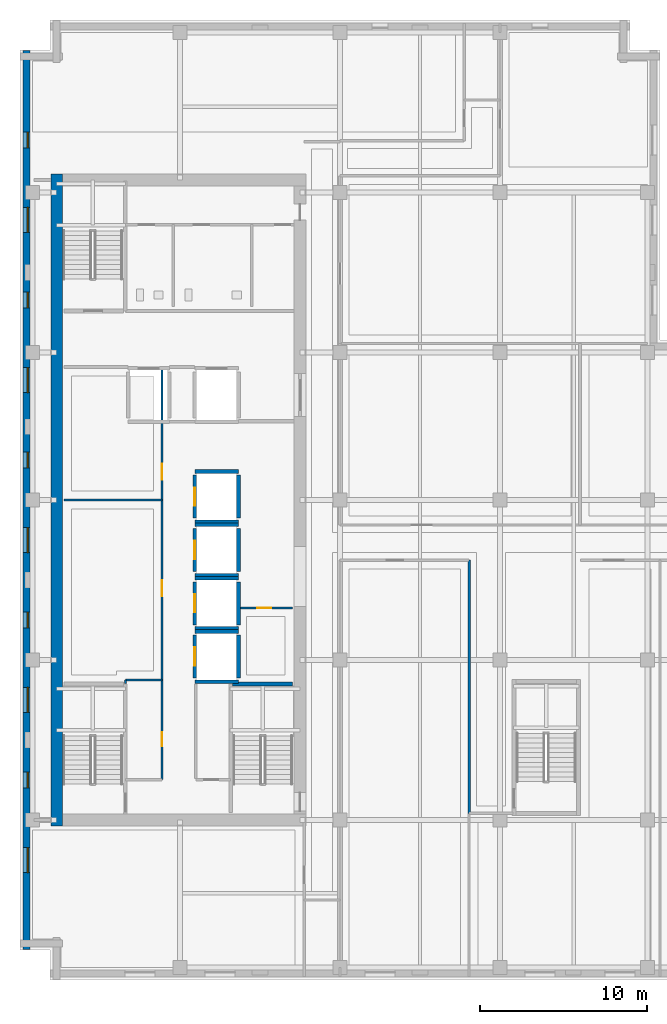
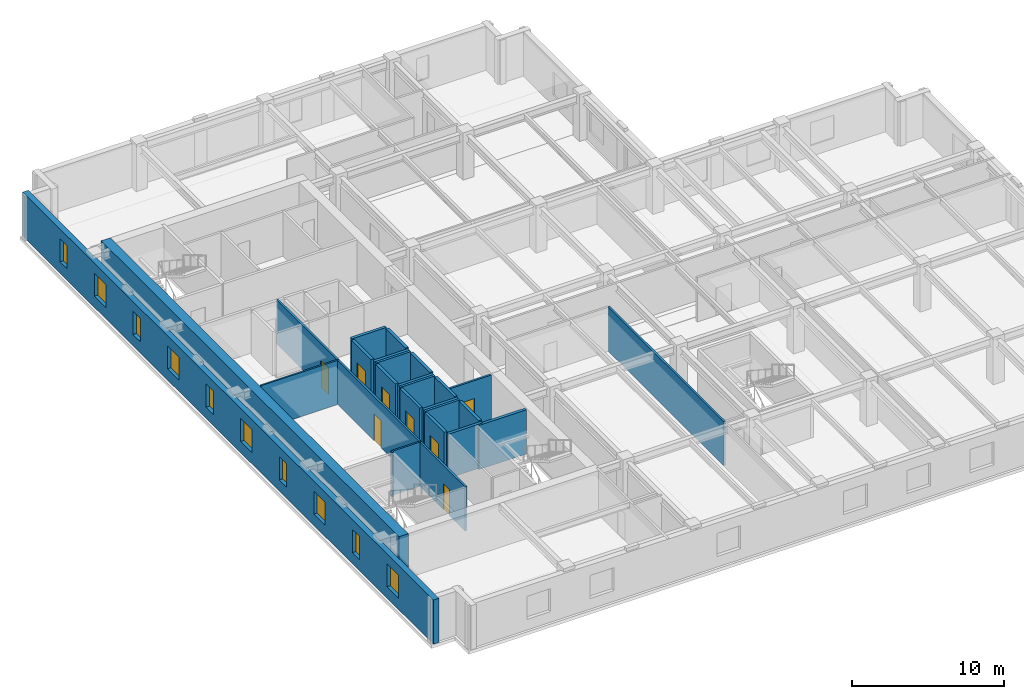
# One storey, part 4 of 14: 25 walls, 10 windows, 8 doors, 18 openings.
"""IFC4 building model written with IfcOpenShell, lengths in metres."""

from ifc_helpers import new_model, si_unit, direction, frame, frame_2d, origin, place, context, subcontext, project, spatial, rectangle, extrude, material, layer, layer_set, type_object, element, fill, save


model = new_model("IFC4")

# Units and contexts
model_context = context("Model", 3, precision=1e-05, world=origin(), true_north=direction((0.0, 1.0)))
body_context = subcontext(model_context, "Body", "Model", "MODEL_VIEW")
ifc_project = project(units=[si_unit("LENGTHUNIT", "METRE"), si_unit("AREAUNIT", "SQUARE_METRE"), si_unit("VOLUMEUNIT", "CUBIC_METRE"), si_unit("PLANEANGLEUNIT", "RADIAN"), si_unit("MASSUNIT", "GRAM", prefix="KILO")], contexts=[model_context])

# Site, building, storey
site_placement = place(None, origin())
site = spatial("IfcSite", under=ifc_project, at=site_placement, CompositionType="ELEMENT")
building_placement = place(site_placement, origin())
building = spatial("IfcBuilding", under=site, at=building_placement, Name="Norrvale University Quadrangle", CompositionType="ELEMENT")
storey_placement = place(building_placement, frame((0.0, 0.0, 218.0)))
storey = spatial("IfcBuildingStorey", under=building, at=storey_placement, Name="L55", CompositionType="ELEMENT", Elevation=218.0)

# Wall, openings, windows
ifc_material_1 = material(Name="Buff Norman Clay Brick Masonry", Category="masonry")
ifc_layer_1 = layer(ifc_material_1, 0.419921875, Name="Buff Norman Clay Brick Masonry")
ifc_layer_set_1 = layer_set([ifc_layer_1], Name="Buff Norman Clay Brick Masonry")
wall_type_1 = type_object("IfcWallType", Name="Wall Buff Brick 420", PredefinedType="SOLIDWALL", material=ifc_layer_set_1)
wall_1_placement = place(storey_placement, frame((0.389892578125, 55.760009765625, 0.0), z_axis=(0.0, 0.0, 1.0), x_axis=(0.0, -1.0, 0.0)))
wall_1 = element("IfcWall", 1, at=wall_1_placement, inside=storey, type_object=wall_type_1, Name="Exterior Brick Facade Wall L55-14.1", PredefinedType="SOLIDWALL", context=body_context, shape_type="SweptSolid", body=[
    extrude(rectangle(XDim=53.919921875, YDim=0.419921875, at=frame_2d((26.9599609375, 0.0))), origin(), (0.0, 0.0, 1.0), 3.5400390625),
])
opening_1_placement = place(wall_1_placement, frame((4.885009765625, 0.0, 0.89990234375)))
opening_1 = element("IfcOpeningElement", 2, at=opening_1_placement, cuts=wall_1, Name="Opening W04", PredefinedType="OPENING", context=body_context, shape_type="SweptSolid", body=[
    extrude(rectangle(XDim=0.949951171875, YDim=1.85009765625, at=frame_2d((0.47509765625, 0.925048828125))), frame((0.0, 0.221923828125, 0.0), z_axis=(0.0, -1.0, 0.0), x_axis=(1.0, 0.0, 0.0)), (0.0, 0.0, 1.0), 0.44384765625),
])
opening_2_placement = place(wall_1_placement, frame((9.409912109375, 0.0, 0.89990234375)))
opening_2 = element("IfcOpeningElement", 3, at=opening_2_placement, cuts=wall_1, Name="Opening W03", PredefinedType="OPENING", context=body_context, shape_type="SweptSolid", body=[
    extrude(rectangle(XDim=1.5, YDim=1.85009765625, at=frame_2d((0.75, 0.925048828125))), frame((0.0, 0.221923828125, 0.0), z_axis=(0.0, -1.0, 0.0), x_axis=(1.0, 0.0, 0.0)), (0.0, 0.0, 1.0), 0.44384765625),
])
opening_3_placement = place(wall_1_placement, frame((14.485107421875, 0.0, 0.89990234375)))
opening_3 = element("IfcOpeningElement", 4, at=opening_3_placement, cuts=wall_1, Name="Opening W04", PredefinedType="OPENING", context=body_context, shape_type="SweptSolid", body=[
    extrude(rectangle(XDim=0.949951171875, YDim=1.85009765625, at=frame_2d((0.47509765625, 0.925048828125))), frame((0.0, 0.221923828125, 0.0), z_axis=(0.0, -1.0, 0.0), x_axis=(1.0, 0.0, 0.0)), (0.0, 0.0, 1.0), 0.44384765625),
])
opening_4_placement = place(wall_1_placement, frame((19.010009765625, 0.0, 0.89990234375)))
opening_4 = element("IfcOpeningElement", 5, at=opening_4_placement, cuts=wall_1, Name="Opening W03", PredefinedType="OPENING", context=body_context, shape_type="SweptSolid", body=[
    extrude(rectangle(XDim=1.5, YDim=1.85009765625, at=frame_2d((0.75, 0.925048828125))), frame((0.0, 0.221923828125, 0.0), z_axis=(0.0, -1.0, 0.0), x_axis=(1.0, 0.0, 0.0)), (0.0, 0.0, 1.0), 0.44384765625),
])
opening_5_placement = place(wall_1_placement, frame((24.0849609375, 0.0, 0.89990234375)))
opening_5 = element("IfcOpeningElement", 6, at=opening_5_placement, cuts=wall_1, Name="Opening W04", PredefinedType="OPENING", context=body_context, shape_type="SweptSolid", body=[
    extrude(rectangle(XDim=0.949951171875, YDim=1.85009765625, at=frame_2d((0.47509765625, 0.925048828125))), frame((0.0, 0.221923828125, 0.0), z_axis=(0.0, -1.0, 0.0), x_axis=(1.0, 0.0, 0.0)), (0.0, 0.0, 1.0), 0.44384765625),
])
opening_6_placement = place(wall_1_placement, frame((28.610107421875, 0.0, 0.89990234375)))
opening_6 = element("IfcOpeningElement", 7, at=opening_6_placement, cuts=wall_1, Name="Opening W03", PredefinedType="OPENING", context=body_context, shape_type="SweptSolid", body=[
    extrude(rectangle(XDim=1.5, YDim=1.85009765625, at=frame_2d((0.75, 0.925048828125))), frame((0.0, 0.221923828125, 0.0), z_axis=(0.0, -1.0, 0.0), x_axis=(1.0, 0.0, 0.0)), (0.0, 0.0, 1.0), 0.44384765625),
])
opening_7_placement = place(wall_1_placement, frame((33.68505859375, 0.0, 0.89990234375)))
opening_7 = element("IfcOpeningElement", 8, at=opening_7_placement, cuts=wall_1, Name="Opening W04", PredefinedType="OPENING", context=body_context, shape_type="SweptSolid", body=[
    extrude(rectangle(XDim=0.949951171875, YDim=1.85009765625, at=frame_2d((0.47509765625, 0.925048828125))), frame((0.0, 0.221923828125, 0.0), z_axis=(0.0, -1.0, 0.0), x_axis=(1.0, 0.0, 0.0)), (0.0, 0.0, 1.0), 0.44384765625),
])
opening_8_placement = place(wall_1_placement, frame((38.2099609375, 0.0, 0.89990234375)))
opening_8 = element("IfcOpeningElement", 9, at=opening_8_placement, cuts=wall_1, Name="Opening W03", PredefinedType="OPENING", context=body_context, shape_type="SweptSolid", body=[
    extrude(rectangle(XDim=1.5, YDim=1.85009765625, at=frame_2d((0.75, 0.925048828125))), frame((0.0, 0.221923828125, 0.0), z_axis=(0.0, -1.0, 0.0), x_axis=(1.0, 0.0, 0.0)), (0.0, 0.0, 1.0), 0.44384765625),
])
opening_9_placement = place(wall_1_placement, frame((43.284912109375, 0.0, 0.89990234375)))
opening_9 = element("IfcOpeningElement", 10, at=opening_9_placement, cuts=wall_1, Name="Opening W04", PredefinedType="OPENING", context=body_context, shape_type="SweptSolid", body=[
    extrude(rectangle(XDim=0.949951171875, YDim=1.85009765625, at=frame_2d((0.47509765625, 0.925048828125))), frame((0.0, 0.221923828125, 0.0), z_axis=(0.0, -1.0, 0.0), x_axis=(1.0, 0.0, 0.0)), (0.0, 0.0, 1.0), 0.44384765625),
])
opening_10_placement = place(wall_1_placement, frame((47.81005859375, 0.0, 0.89990234375)))
opening_10 = element("IfcOpeningElement", 11, at=opening_10_placement, cuts=wall_1, Name="Opening W03", PredefinedType="OPENING", context=body_context, shape_type="SweptSolid", body=[
    extrude(rectangle(XDim=1.5, YDim=1.85009765625, at=frame_2d((0.75, 0.925048828125))), frame((0.0, 0.221923828125, 0.0), z_axis=(0.0, -1.0, 0.0), x_axis=(1.0, 0.0, 0.0)), (0.0, 0.0, 1.0), 0.44384765625),
])
ifc_material_2 = material(Name="Triple Low-E Argon Glazing", Category="glass")
window_type_1 = type_object("IfcWindowType", Name="Window Narrow Pier 950x2300", PartitioningType="SINGLE_PANEL", PredefinedType="WINDOW", material=ifc_material_2)
window_1_placement = place(opening_1_placement, origin())
window_1 = element("IfcWindow", 12, at=window_1_placement, inside=storey, type_object=window_type_1, Name="Window Narrow Pier 950x2300 WIN-L55-E14-1-01", OverallHeight=1.85009765625, OverallWidth=0.949951171875, PartitioningType="SINGLE_PANEL", PredefinedType="WINDOW", context=body_context, shape_type="SweptSolid", body=[
    extrude(rectangle(XDim=0.949951171875, YDim=1.85009765625, at=frame_2d((0.47509765625, 0.925048828125))), frame((0.0, 0.110107421875, 0.0), z_axis=(0.0, -1.0, 0.0), x_axis=(1.0, 0.0, 0.0)), (0.0, 0.0, 1.0), 0.06005859375),
])
fill(opening_1, window_1)
window_2_placement = place(opening_3_placement, origin())
window_2 = element("IfcWindow", 13, at=window_2_placement, inside=storey, type_object=window_type_1, Name="Window Narrow Pier 950x2300 WIN-L55-E14-1-03", OverallHeight=1.85009765625, OverallWidth=0.949951171875, PartitioningType="SINGLE_PANEL", PredefinedType="WINDOW", context=body_context, shape_type="SweptSolid", body=[
    extrude(rectangle(XDim=0.949951171875, YDim=1.85009765625, at=frame_2d((0.47509765625, 0.925048828125))), frame((0.0, 0.110107421875, 0.0), z_axis=(0.0, -1.0, 0.0), x_axis=(1.0, 0.0, 0.0)), (0.0, 0.0, 1.0), 0.06005859375),
])
fill(opening_3, window_2)
window_3_placement = place(opening_5_placement, origin())
window_3 = element("IfcWindow", 14, at=window_3_placement, inside=storey, type_object=window_type_1, Name="Window Narrow Pier 950x2300 WIN-L55-E14-1-05", OverallHeight=1.85009765625, OverallWidth=0.949951171875, PartitioningType="SINGLE_PANEL", PredefinedType="WINDOW", context=body_context, shape_type="SweptSolid", body=[
    extrude(rectangle(XDim=0.949951171875, YDim=1.85009765625, at=frame_2d((0.47509765625, 0.925048828125))), frame((0.0, 0.110107421875, 0.0), z_axis=(0.0, -1.0, 0.0), x_axis=(1.0, 0.0, 0.0)), (0.0, 0.0, 1.0), 0.06005859375),
])
fill(opening_5, window_3)
window_4_placement = place(opening_7_placement, origin())
window_4 = element("IfcWindow", 15, at=window_4_placement, inside=storey, type_object=window_type_1, Name="Window Narrow Pier 950x2300 WIN-L55-E14-1-07", OverallHeight=1.85009765625, OverallWidth=0.949951171875, PartitioningType="SINGLE_PANEL", PredefinedType="WINDOW", context=body_context, shape_type="SweptSolid", body=[
    extrude(rectangle(XDim=0.949951171875, YDim=1.85009765625, at=frame_2d((0.47509765625, 0.925048828125))), frame((0.0, 0.110107421875, 0.0), z_axis=(0.0, -1.0, 0.0), x_axis=(1.0, 0.0, 0.0)), (0.0, 0.0, 1.0), 0.06005859375),
])
fill(opening_7, window_4)
window_5_placement = place(opening_9_placement, origin())
window_5 = element("IfcWindow", 16, at=window_5_placement, inside=storey, type_object=window_type_1, Name="Window Narrow Pier 950x2300 WIN-L55-E14-1-09", OverallHeight=1.85009765625, OverallWidth=0.949951171875, PartitioningType="SINGLE_PANEL", PredefinedType="WINDOW", context=body_context, shape_type="SweptSolid", body=[
    extrude(rectangle(XDim=0.949951171875, YDim=1.85009765625, at=frame_2d((0.47509765625, 0.925048828125))), frame((0.0, 0.110107421875, 0.0), z_axis=(0.0, -1.0, 0.0), x_axis=(1.0, 0.0, 0.0)), (0.0, 0.0, 1.0), 0.06005859375),
])
fill(opening_9, window_5)
window_type_2 = type_object("IfcWindowType", Name="Window Studio 1500x2300", PartitioningType="DOUBLE_PANEL_VERTICAL", PredefinedType="WINDOW", material=ifc_material_2)
window_6_placement = place(opening_2_placement, origin())
window_6 = element("IfcWindow", 17, at=window_6_placement, inside=storey, type_object=window_type_2, Name="Window Studio 1500x2300 WIN-L55-E14-1-02", OverallHeight=1.85009765625, OverallWidth=1.5, PartitioningType="DOUBLE_PANEL_VERTICAL", PredefinedType="WINDOW", context=body_context, shape_type="SweptSolid", body=[
    extrude(rectangle(XDim=1.5, YDim=1.85009765625, at=frame_2d((0.75, 0.925048828125))), frame((0.0, 0.110107421875, 0.0), z_axis=(0.0, -1.0, 0.0), x_axis=(1.0, 0.0, 0.0)), (0.0, 0.0, 1.0), 0.06005859375),
])
fill(opening_2, window_6)
window_7_placement = place(opening_4_placement, origin())
window_7 = element("IfcWindow", 18, at=window_7_placement, inside=storey, type_object=window_type_2, Name="Window Studio 1500x2300 WIN-L55-E14-1-04", OverallHeight=1.85009765625, OverallWidth=1.5, PartitioningType="DOUBLE_PANEL_VERTICAL", PredefinedType="WINDOW", context=body_context, shape_type="SweptSolid", body=[
    extrude(rectangle(XDim=1.5, YDim=1.85009765625, at=frame_2d((0.75, 0.925048828125))), frame((0.0, 0.110107421875, 0.0), z_axis=(0.0, -1.0, 0.0), x_axis=(1.0, 0.0, 0.0)), (0.0, 0.0, 1.0), 0.06005859375),
])
fill(opening_4, window_7)
window_8_placement = place(opening_6_placement, origin())
window_8 = element("IfcWindow", 19, at=window_8_placement, inside=storey, type_object=window_type_2, Name="Window Studio 1500x2300 WIN-L55-E14-1-06", OverallHeight=1.85009765625, OverallWidth=1.5, PartitioningType="DOUBLE_PANEL_VERTICAL", PredefinedType="WINDOW", context=body_context, shape_type="SweptSolid", body=[
    extrude(rectangle(XDim=1.5, YDim=1.85009765625, at=frame_2d((0.75, 0.925048828125))), frame((0.0, 0.110107421875, 0.0), z_axis=(0.0, -1.0, 0.0), x_axis=(1.0, 0.0, 0.0)), (0.0, 0.0, 1.0), 0.06005859375),
])
fill(opening_6, window_8)
window_9_placement = place(opening_8_placement, origin())
window_9 = element("IfcWindow", 20, at=window_9_placement, inside=storey, type_object=window_type_2, Name="Window Studio 1500x2300 WIN-L55-E14-1-08", OverallHeight=1.85009765625, OverallWidth=1.5, PartitioningType="DOUBLE_PANEL_VERTICAL", PredefinedType="WINDOW", context=body_context, shape_type="SweptSolid", body=[
    extrude(rectangle(XDim=1.5, YDim=1.85009765625, at=frame_2d((0.75, 0.925048828125))), frame((0.0, 0.110107421875, 0.0), z_axis=(0.0, -1.0, 0.0), x_axis=(1.0, 0.0, 0.0)), (0.0, 0.0, 1.0), 0.06005859375),
])
fill(opening_8, window_9)
window_10_placement = place(opening_10_placement, origin())
window_10 = element("IfcWindow", 21, at=window_10_placement, inside=storey, type_object=window_type_2, Name="Window Studio 1500x2300 WIN-L55-E14-1-10", OverallHeight=1.85009765625, OverallWidth=1.5, PartitioningType="DOUBLE_PANEL_VERTICAL", PredefinedType="WINDOW", context=body_context, shape_type="SweptSolid", body=[
    extrude(rectangle(XDim=1.5, YDim=1.85009765625, at=frame_2d((0.75, 0.925048828125))), frame((0.0, 0.110107421875, 0.0), z_axis=(0.0, -1.0, 0.0), x_axis=(1.0, 0.0, 0.0)), (0.0, 0.0, 1.0), 0.06005859375),
])
fill(opening_10, window_10)

# Walls
ifc_material_3 = material(Name="Concrete C60/75", Category="concrete")
ifc_layer_2 = layer(ifc_material_3, 0.699951171875, Name="Concrete C60/75")
ifc_layer_set_2 = layer_set([ifc_layer_2], Name="Concrete C60/75")
wall_type_2 = type_object("IfcWallType", Name="Wall Core 700", PredefinedType="SHEAR", material=ifc_layer_set_2)
wall_2_placement = place(storey_placement, frame((2.199951171875, 9.25, 0.0), z_axis=(0.0, 0.0, 1.0), x_axis=(0.0, 1.0, 0.0)))
element("IfcWall", 22, at=wall_2_placement, inside=storey, type_object=wall_type_2, Name="Tower Core Shear Wall L55-W", PredefinedType="SHEAR", context=body_context, shape_type="SweptSolid", body=[
    extrude(rectangle(XDim=39.10009765625, YDim=0.699951171875, at=frame_2d((19.550048828125, 0.0))), origin(), (0.0, 0.0, 1.0), 3.5400390625),
])
ifc_material_4 = material(Name="Standard Academic Gypsum Partition")
ifc_layer_3 = layer(ifc_material_4, 0.125, Name="Standard Academic Gypsum Partition")
ifc_layer_set_3 = layer_set([ifc_layer_3], Name="Standard Academic Gypsum Partition")
wall_type_3 = type_object("IfcWallType", Name="Wall Gypsum Academic 125", PredefinedType="PARTITIONING", material=ifc_layer_set_3)
wall_3_placement = place(storey_placement, frame((6.320068359375, 17.800048828125, 0.0), z_axis=(0.0, 0.0, 1.0), x_axis=(0.0, 1.0, 0.0)))
element("IfcWall", 23, at=wall_3_placement, inside=storey, type_object=wall_type_3, Name="Interior Partition WL-L55-REC-L1", PredefinedType="PARTITIONING", context=body_context, shape_type="SweptSolid", body=[
    extrude(rectangle(XDim=0.199951171875, YDim=0.125, at=frame_2d((0.10009765625, 0.0))), origin(), (0.0, 0.0, 1.0), 3.5400390625),
])
wall_4_placement = place(storey_placement, frame((6.320068359375, 18.0, 0.0), z_axis=(0.0, 0.0, 1.0), x_axis=(1.0, 0.0, 0.0)))
element("IfcWall", 24, at=wall_4_placement, inside=storey, type_object=wall_type_3, Name="Interior Partition WL-L55-REC-L2", PredefinedType="PARTITIONING", context=body_context, shape_type="SweptSolid", body=[
    extrude(rectangle(XDim=2.199951171875, YDim=0.125, at=frame_2d((1.10009765625, 0.0))), origin(), (0.0, 0.0, 1.0), 3.5400390625),
])
wall_5_placement = place(storey_placement, frame((2.64990234375, 28.800048828125, 0.0), z_axis=(0.0, 0.0, 1.0), x_axis=(1.0, 0.0, 0.0)))
element("IfcWall", 25, at=wall_5_placement, inside=storey, type_object=wall_type_3, Name="Interior Partition WL-L55-REC-M2", PredefinedType="PARTITIONING", context=body_context, shape_type="SweptSolid", body=[
    extrude(rectangle(XDim=5.8701171875, YDim=0.125, at=frame_2d((2.93505859375, 0.0))), origin(), (0.0, 0.0, 1.0), 3.5400390625),
])

# Wall, opening, door
ifc_material_5 = material(Name="Fire-Rated Gypsum Stud Partition")
ifc_layer_4 = layer(ifc_material_5, 0.14990234375, Name="Fire-Rated Gypsum Stud Partition")
ifc_layer_set_4 = layer_set([ifc_layer_4], Name="Fire-Rated Gypsum Stud Partition")
wall_type_4 = type_object("IfcWallType", Name="Wall Gypsum Corridor 150", PredefinedType="PARTITIONING", material=ifc_layer_set_4)
wall_6_placement = place(storey_placement, frame((13.22509765625, 22.320068359375, 0.0), z_axis=(0.0, 0.0, 1.0), x_axis=(1.0, 0.0, 0.0)))
wall_6 = element("IfcWall", 26, at=wall_6_placement, inside=storey, type_object=wall_type_4, Name="Interior Partition WL-L55-JAN-N", PredefinedType="PARTITIONING", context=body_context, shape_type="SweptSolid", body=[
    extrude(rectangle(XDim=3.119873046875, YDim=0.14990234375, at=frame_2d((1.56005859375, 0.0))), origin(), (0.0, 0.0, 1.0), 3.5400390625),
])
opening_11_placement = place(wall_6_placement, frame((1.0, 0.0, 0.0)))
opening_11 = element("IfcOpeningElement", 27, at=opening_11_placement, cuts=wall_6, Name="Opening D10", PredefinedType="OPENING", context=body_context, shape_type="SweptSolid", body=[
    extrude(rectangle(XDim=0.85009765625, YDim=2.10009765625, at=frame_2d((0.425048828125, 1.050048828125))), frame((0.0, 0.0869140625, 0.0), z_axis=(0.0, -1.0, 0.0), x_axis=(1.0, 0.0, 0.0)), (0.0, 0.0, 1.0), 0.173828125),
])
ifc_material_6 = material(Name="Hollow Steel 350W Riser Fire Door", Category="steel")
door_type_1 = type_object("IfcDoorType", Name="Door Riser 850x2100", OperationType="NOTDEFINED", PredefinedType="DOOR", material=ifc_material_6)
door_1_placement = place(opening_11_placement, origin())
door_1 = element("IfcDoor", 28, at=door_1_placement, inside=storey, type_object=door_type_1, Name="Door Riser 850x2100 DR-L55-JAN", OperationType="SINGLE_SWING_LEFT", OverallHeight=2.10009765625, OverallWidth=0.85009765625, PredefinedType="DOOR", context=body_context, shape_type="SweptSolid", body=[
    extrude(rectangle(XDim=0.85009765625, YDim=2.10009765625, at=frame_2d((0.425048828125, 1.050048828125))), frame((0.0, 0.02490234375, 0.0), z_axis=(0.0, -1.0, 0.0), x_axis=(1.0, 0.0, 0.0)), (0.0, 0.0, 1.0), 0.050048828125),
])
fill(opening_11, door_1)

# Wall, openings, doors
wall_7_placement = place(storey_placement, frame((8.52001953125, 12.02001953125, 0.0), z_axis=(0.0, 0.0, 1.0), x_axis=(0.0, 1.0, 0.0)))
wall_7 = element("IfcWall", 29, at=wall_7_placement, inside=storey, type_object=wall_type_4, Name="Interior Partition WL-L55-REC-E", PredefinedType="PARTITIONING", context=body_context, shape_type="SweptSolid", body=[
    extrude(rectangle(XDim=24.760009765625, YDim=0.14990234375, at=frame_2d((12.3798828125, 0.0))), origin(), (0.0, 0.0, 1.0), 3.5400390625),
])
opening_12_placement = place(wall_7_placement, frame((2.0, 0.0, 0.0)))
opening_12 = element("IfcOpeningElement", 30, at=opening_12_placement, cuts=wall_7, Name="Opening D10", PredefinedType="OPENING", context=body_context, shape_type="SweptSolid", body=[
    extrude(rectangle(XDim=0.85009765625, YDim=2.10009765625, at=frame_2d((0.425048828125, 1.050048828125))), frame((0.0, 0.0869140625, 0.0), z_axis=(0.0, -1.0, 0.0), x_axis=(1.0, 0.0, 0.0)), (0.0, 0.0, 1.0), 0.173828125),
])
opening_13_placement = place(wall_7_placement, frame((11.0, 0.0, 0.0)))
opening_13 = element("IfcOpeningElement", 31, at=opening_13_placement, cuts=wall_7, Name="Opening D07", PredefinedType="OPENING", context=body_context, shape_type="SweptSolid", body=[
    extrude(rectangle(XDim=0.949951171875, YDim=2.14990234375, at=frame_2d((0.47509765625, 1.074951171875))), frame((0.0, 0.0869140625, 0.0), z_axis=(0.0, -1.0, 0.0), x_axis=(1.0, 0.0, 0.0)), (0.0, 0.0, 1.0), 0.173828125),
])
opening_14_placement = place(wall_7_placement, frame((18.0, 0.0, 0.0)))
opening_14 = element("IfcOpeningElement", 32, at=opening_14_placement, cuts=wall_7, Name="Opening D07", PredefinedType="OPENING", context=body_context, shape_type="SweptSolid", body=[
    extrude(rectangle(XDim=0.949951171875, YDim=2.14990234375, at=frame_2d((0.47509765625, 1.074951171875))), frame((0.0, 0.0869140625, 0.0), z_axis=(0.0, -1.0, 0.0), x_axis=(1.0, 0.0, 0.0)), (0.0, 0.0, 1.0), 0.173828125),
])
ifc_material_7 = material(Name="Solid-Core Maple Door", Category="wood")
door_type_2 = type_object("IfcDoorType", Name="Door Office 950x2150", OperationType="NOTDEFINED", PredefinedType="DOOR", material=ifc_material_7)
door_2_placement = place(opening_13_placement, origin())
door_2 = element("IfcDoor", 33, at=door_2_placement, inside=storey, type_object=door_type_2, Name="Door Office 950x2150 DR-L55-REC2", OperationType="SINGLE_SWING_RIGHT", OverallHeight=2.14990234375, OverallWidth=0.949951171875, PredefinedType="DOOR", context=body_context, shape_type="SweptSolid", body=[
    extrude(rectangle(XDim=0.949951171875, YDim=2.14990234375, at=frame_2d((0.47509765625, 1.074951171875))), frame((0.0, 0.02490234375, 0.0), z_axis=(0.0, -1.0, 0.0), x_axis=(1.0, 0.0, 0.0)), (0.0, 0.0, 1.0), 0.050048828125),
])
fill(opening_13, door_2)
door_3_placement = place(opening_14_placement, origin())
door_3 = element("IfcDoor", 34, at=door_3_placement, inside=storey, type_object=door_type_2, Name="Door Office 950x2150 DR-L55-REC3", OperationType="SINGLE_SWING_LEFT", OverallHeight=2.14990234375, OverallWidth=0.949951171875, PredefinedType="DOOR", context=body_context, shape_type="SweptSolid", body=[
    extrude(rectangle(XDim=0.949951171875, YDim=2.14990234375, at=frame_2d((0.47509765625, 1.074951171875))), frame((0.0, 0.02490234375, 0.0), z_axis=(0.0, -1.0, 0.0), x_axis=(1.0, 0.0, 0.0)), (0.0, 0.0, 1.0), 0.050048828125),
])
fill(opening_14, door_3)
door_4_placement = place(opening_12_placement, origin())
door_4 = element("IfcDoor", 35, at=door_4_placement, inside=storey, type_object=door_type_1, Name="Door Riser 850x2100 DR-L55-REC1", OperationType="SINGLE_SWING_LEFT", OverallHeight=2.10009765625, OverallWidth=0.85009765625, PredefinedType="DOOR", context=body_context, shape_type="SweptSolid", body=[
    extrude(rectangle(XDim=0.85009765625, YDim=2.10009765625, at=frame_2d((0.425048828125, 1.050048828125))), frame((0.0, 0.02490234375, 0.0), z_axis=(0.0, -1.0, 0.0), x_axis=(1.0, 0.0, 0.0)), (0.0, 0.0, 1.0), 0.050048828125),
])
fill(opening_12, door_4)

# Walls
wall_8_placement = place(storey_placement, frame((26.949951171875, 10.0, 0.0), z_axis=(0.0, 0.0, 1.0), x_axis=(0.0, 1.0, 0.0)))
element("IfcWall", 36, at=wall_8_placement, inside=storey, type_object=wall_type_4, Name="Interior Partition WL-L55-SEP1B", PredefinedType="PARTITIONING", context=body_context, shape_type="SweptSolid", body=[
    extrude(rectangle(XDim=15.199951171875, YDim=0.14990234375, at=frame_2d((7.60009765625, 0.0))), origin(), (0.0, 0.0, 1.0), 3.5400390625),
])
ifc_material_8 = material(Name="Concrete Blockwork 20 MPa Fire Shaft", Category="masonry")
ifc_layer_5 = layer(ifc_material_8, 0.219970703125, Name="Concrete Blockwork 20 MPa Fire Shaft")
ifc_layer_set_5 = layer_set([ifc_layer_5], Name="Concrete Blockwork 20 MPa Fire Shaft")
wall_type_5 = type_object("IfcWallType", Name="Wall Shaft 220", PredefinedType="SOLIDWALL", material=ifc_layer_set_5)
wall_9_placement = place(storey_placement, frame((12.75, 17.760009765625, 0.0), z_axis=(0.0, 0.0, 1.0), x_axis=(1.0, 0.0, 0.0)))
element("IfcWall", 37, at=wall_9_placement, inside=storey, type_object=wall_type_5, Name="Stair ST-03 North Shaft Wall L55", PredefinedType="SOLIDWALL", context=body_context, shape_type="SweptSolid", body=[
    extrude(rectangle(XDim=3.60009765625, YDim=0.219970703125, at=frame_2d((1.800048828125, 0.0))), origin(), (0.0, 0.0, 1.0), 3.5400390625),
])

# Wall, opening, door
wall_10_placement = place(storey_placement, frame((10.489990234375, 18.110107421875, 0.0), z_axis=(0.0, 0.0, 1.0), x_axis=(0.0, 1.0, 0.0)))
wall_10 = element("IfcWall", 38, at=wall_10_placement, inside=storey, type_object=wall_type_5, Name="Hoistway PL-05 West Wall L55", PredefinedType="SOLIDWALL", context=body_context, shape_type="SweptSolid", body=[
    extrude(rectangle(XDim=2.579833984375, YDim=0.219970703125, at=frame_2d((1.2900390625, 0.0))), origin(), (0.0, 0.0, 1.0), 3.5400390625),
])
opening_15_placement = place(wall_10_placement, frame((0.739990234375, 0.0, 0.0)))
opening_15 = element("IfcOpeningElement", 39, at=opening_15_placement, cuts=wall_10, Name="Opening LD1", PredefinedType="OPENING", context=body_context, shape_type="SweptSolid", body=[
    extrude(rectangle(XDim=1.10009765625, YDim=2.199951171875, at=frame_2d((0.550048828125, 1.10009765625))), frame((0.0, 0.1220703125, 0.0), z_axis=(0.0, -1.0, 0.0), x_axis=(1.0, 0.0, 0.0)), (0.0, 0.0, 1.0), 0.243896484375),
])
ifc_material_9 = material(Name="Stainless Steel 316L Lift Landing Door", Category="steel")
door_type_3 = type_object("IfcDoorType", Name="Door Lift Landing 1100x2200", OperationType="DOUBLE_DOOR_SLIDING", PredefinedType="DOOR", material=ifc_material_9)
door_5_placement = place(opening_15_placement, origin())
door_5 = element("IfcDoor", 40, at=door_5_placement, inside=storey, type_object=door_type_3, Name="Elevator Landing Door DR-L55-PL-05", OperationType="DOUBLE_DOOR_SLIDING", OverallHeight=2.199951171875, OverallWidth=1.10009765625, PredefinedType="DOOR", context=body_context, shape_type="SweptSolid", body=[
    extrude(rectangle(XDim=1.10009765625, YDim=2.199951171875, at=frame_2d((0.550048828125, 1.10009765625))), frame((0.0, 0.02490234375, 0.0), z_axis=(0.0, -1.0, 0.0), x_axis=(1.0, 0.0, 0.0)), (0.0, 0.0, 1.0), 0.050048828125),
])
fill(opening_15, door_5)

# Walls
wall_11_placement = place(storey_placement, frame((13.110107421875, 18.110107421875, 0.0), z_axis=(0.0, 0.0, 1.0), x_axis=(0.0, 1.0, 0.0)))
element("IfcWall", 41, at=wall_11_placement, inside=storey, type_object=wall_type_5, Name="Hoistway PL-05 East Wall L55", PredefinedType="SOLIDWALL", context=body_context, shape_type="SweptSolid", body=[
    extrude(rectangle(XDim=2.579833984375, YDim=0.219970703125, at=frame_2d((1.2900390625, 0.0))), origin(), (0.0, 0.0, 1.0), 3.5400390625),
])
for number, where, z_axis, x_axis, name in (
    (42, (10.489990234375, 17.889892578125, 0.0), (0.0, 0.0, 1.0), (1.0, 0.0, 0.0), "Hoistway PL-05 South Wall L55"),
    (43, (10.489990234375, 20.909912109375, 0.0), (0.0, 0.0, 1.0), (1.0, 0.0, 0.0), "Hoistway PL-05 North Wall L55"),
):
    element("IfcWall", number, at=place(storey_placement, frame(where, z_axis=z_axis, x_axis=x_axis)), inside=storey, type_object=wall_type_5, Name=name, PredefinedType="SOLIDWALL", context=body_context, shape_type="SweptSolid", body=[
        extrude(rectangle(XDim=2.6201171875, YDim=0.219970703125, at=frame_2d((1.31005859375, 0.0))), origin(), (0.0, 0.0, 1.0), 3.5400390625),
    ])

# Wall, opening, door
wall_12_placement = place(storey_placement, frame((10.489990234375, 21.31005859375, 0.0), z_axis=(0.0, 0.0, 1.0), x_axis=(0.0, 1.0, 0.0)))
wall_12 = element("IfcWall", 44, at=wall_12_placement, inside=storey, type_object=wall_type_5, Name="Hoistway PL-06 West Wall L55", PredefinedType="SOLIDWALL", context=body_context, shape_type="SweptSolid", body=[
    extrude(rectangle(XDim=2.579833984375, YDim=0.219970703125, at=frame_2d((1.2900390625, 0.0))), origin(), (0.0, 0.0, 1.0), 3.5400390625),
])
opening_16_placement = place(wall_12_placement, frame((0.739990234375, 0.0, 0.0)))
opening_16 = element("IfcOpeningElement", 45, at=opening_16_placement, cuts=wall_12, Name="Opening LD1", PredefinedType="OPENING", context=body_context, shape_type="SweptSolid", body=[
    extrude(rectangle(XDim=1.10009765625, YDim=2.199951171875, at=frame_2d((0.550048828125, 1.10009765625))), frame((0.0, 0.1220703125, 0.0), z_axis=(0.0, -1.0, 0.0), x_axis=(1.0, 0.0, 0.0)), (0.0, 0.0, 1.0), 0.243896484375),
])
door_6_placement = place(opening_16_placement, origin())
door_6 = element("IfcDoor", 46, at=door_6_placement, inside=storey, type_object=door_type_3, Name="Elevator Landing Door DR-L55-PL-06", OperationType="DOUBLE_DOOR_SLIDING", OverallHeight=2.199951171875, OverallWidth=1.10009765625, PredefinedType="DOOR", context=body_context, shape_type="SweptSolid", body=[
    extrude(rectangle(XDim=1.10009765625, YDim=2.199951171875, at=frame_2d((0.550048828125, 1.10009765625))), frame((0.0, 0.02490234375, 0.0), z_axis=(0.0, -1.0, 0.0), x_axis=(1.0, 0.0, 0.0)), (0.0, 0.0, 1.0), 0.050048828125),
])
fill(opening_16, door_6)

# Walls
wall_13_placement = place(storey_placement, frame((13.110107421875, 21.31005859375, 0.0), z_axis=(0.0, 0.0, 1.0), x_axis=(0.0, 1.0, 0.0)))
element("IfcWall", 47, at=wall_13_placement, inside=storey, type_object=wall_type_5, Name="Hoistway PL-06 East Wall L55", PredefinedType="SOLIDWALL", context=body_context, shape_type="SweptSolid", body=[
    extrude(rectangle(XDim=2.579833984375, YDim=0.219970703125, at=frame_2d((1.2900390625, 0.0))), origin(), (0.0, 0.0, 1.0), 3.5400390625),
])
for number, where, z_axis, x_axis, name in (
    (48, (10.489990234375, 21.090087890625, 0.0), (0.0, 0.0, 1.0), (1.0, 0.0, 0.0), "Hoistway PL-06 South Wall L55"),
    (49, (10.489990234375, 24.110107421875, 0.0), (0.0, 0.0, 1.0), (1.0, 0.0, 0.0), "Hoistway PL-06 North Wall L55"),
):
    element("IfcWall", number, at=place(storey_placement, frame(where, z_axis=z_axis, x_axis=x_axis)), inside=storey, type_object=wall_type_5, Name=name, PredefinedType="SOLIDWALL", context=body_context, shape_type="SweptSolid", body=[
        extrude(rectangle(XDim=2.6201171875, YDim=0.219970703125, at=frame_2d((1.31005859375, 0.0))), origin(), (0.0, 0.0, 1.0), 3.5400390625),
    ])

# Wall, opening, door
wall_14_placement = place(storey_placement, frame((10.489990234375, 24.510009765625, 0.0), z_axis=(0.0, 0.0, 1.0), x_axis=(0.0, 1.0, 0.0)))
wall_14 = element("IfcWall", 50, at=wall_14_placement, inside=storey, type_object=wall_type_5, Name="Hoistway PL-07 West Wall L55", PredefinedType="SOLIDWALL", context=body_context, shape_type="SweptSolid", body=[
    extrude(rectangle(XDim=2.580078125, YDim=0.219970703125, at=frame_2d((1.2900390625, 0.0))), origin(), (0.0, 0.0, 1.0), 3.5400390625),
])
opening_17_placement = place(wall_14_placement, frame((0.739990234375, 0.0, 0.0)))
opening_17 = element("IfcOpeningElement", 51, at=opening_17_placement, cuts=wall_14, Name="Opening LD1", PredefinedType="OPENING", context=body_context, shape_type="SweptSolid", body=[
    extrude(rectangle(XDim=1.10009765625, YDim=2.199951171875, at=frame_2d((0.550048828125, 1.10009765625))), frame((0.0, 0.1220703125, 0.0), z_axis=(0.0, -1.0, 0.0), x_axis=(1.0, 0.0, 0.0)), (0.0, 0.0, 1.0), 0.243896484375),
])
door_7_placement = place(opening_17_placement, origin())
door_7 = element("IfcDoor", 52, at=door_7_placement, inside=storey, type_object=door_type_3, Name="Elevator Landing Door DR-L55-PL-07", OperationType="DOUBLE_DOOR_SLIDING", OverallHeight=2.199951171875, OverallWidth=1.10009765625, PredefinedType="DOOR", context=body_context, shape_type="SweptSolid", body=[
    extrude(rectangle(XDim=1.10009765625, YDim=2.199951171875, at=frame_2d((0.550048828125, 1.10009765625))), frame((0.0, 0.02490234375, 0.0), z_axis=(0.0, -1.0, 0.0), x_axis=(1.0, 0.0, 0.0)), (0.0, 0.0, 1.0), 0.050048828125),
])
fill(opening_17, door_7)

# Walls
wall_15_placement = place(storey_placement, frame((13.110107421875, 24.510009765625, 0.0), z_axis=(0.0, 0.0, 1.0), x_axis=(0.0, 1.0, 0.0)))
element("IfcWall", 53, at=wall_15_placement, inside=storey, type_object=wall_type_5, Name="Hoistway PL-07 East Wall L55", PredefinedType="SOLIDWALL", context=body_context, shape_type="SweptSolid", body=[
    extrude(rectangle(XDim=2.580078125, YDim=0.219970703125, at=frame_2d((1.2900390625, 0.0))), origin(), (0.0, 0.0, 1.0), 3.5400390625),
])
for number, where, z_axis, x_axis, name in (
    (54, (10.489990234375, 24.2900390625, 0.0), (0.0, 0.0, 1.0), (1.0, 0.0, 0.0), "Hoistway PL-07 South Wall L55"),
    (55, (10.489990234375, 27.31005859375, 0.0), (0.0, 0.0, 1.0), (1.0, 0.0, 0.0), "Hoistway PL-07 North Wall L55"),
):
    element("IfcWall", number, at=place(storey_placement, frame(where, z_axis=z_axis, x_axis=x_axis)), inside=storey, type_object=wall_type_5, Name=name, PredefinedType="SOLIDWALL", context=body_context, shape_type="SweptSolid", body=[
        extrude(rectangle(XDim=2.6201171875, YDim=0.219970703125, at=frame_2d((1.31005859375, 0.0))), origin(), (0.0, 0.0, 1.0), 3.5400390625),
    ])

# Wall, opening, door
wall_16_placement = place(storey_placement, frame((10.489990234375, 27.7099609375, 0.0), z_axis=(0.0, 0.0, 1.0), x_axis=(0.0, 1.0, 0.0)))
wall_16 = element("IfcWall", 56, at=wall_16_placement, inside=storey, type_object=wall_type_5, Name="Hoistway PL-08 West Wall L55", PredefinedType="SOLIDWALL", context=body_context, shape_type="SweptSolid", body=[
    extrude(rectangle(XDim=2.580078125, YDim=0.219970703125, at=frame_2d((1.2900390625, 0.0))), origin(), (0.0, 0.0, 1.0), 3.5400390625),
])
opening_18_placement = place(wall_16_placement, frame((0.739990234375, 0.0, 0.0)))
opening_18 = element("IfcOpeningElement", 57, at=opening_18_placement, cuts=wall_16, Name="Opening LD1", PredefinedType="OPENING", context=body_context, shape_type="SweptSolid", body=[
    extrude(rectangle(XDim=1.10009765625, YDim=2.199951171875, at=frame_2d((0.550048828125, 1.10009765625))), frame((0.0, 0.1220703125, 0.0), z_axis=(0.0, -1.0, 0.0), x_axis=(1.0, 0.0, 0.0)), (0.0, 0.0, 1.0), 0.243896484375),
])
door_8_placement = place(opening_18_placement, origin())
door_8 = element("IfcDoor", 58, at=door_8_placement, inside=storey, type_object=door_type_3, Name="Elevator Landing Door DR-L55-PL-08", OperationType="DOUBLE_DOOR_SLIDING", OverallHeight=2.199951171875, OverallWidth=1.10009765625, PredefinedType="DOOR", context=body_context, shape_type="SweptSolid", body=[
    extrude(rectangle(XDim=1.10009765625, YDim=2.199951171875, at=frame_2d((0.550048828125, 1.10009765625))), frame((0.0, 0.02490234375, 0.0), z_axis=(0.0, -1.0, 0.0), x_axis=(1.0, 0.0, 0.0)), (0.0, 0.0, 1.0), 0.050048828125),
])
fill(opening_18, door_8)

# Walls
wall_17_placement = place(storey_placement, frame((13.110107421875, 27.7099609375, 0.0), z_axis=(0.0, 0.0, 1.0), x_axis=(0.0, 1.0, 0.0)))
element("IfcWall", 59, at=wall_17_placement, inside=storey, type_object=wall_type_5, Name="Hoistway PL-08 East Wall L55", PredefinedType="SOLIDWALL", context=body_context, shape_type="SweptSolid", body=[
    extrude(rectangle(XDim=2.580078125, YDim=0.219970703125, at=frame_2d((1.2900390625, 0.0))), origin(), (0.0, 0.0, 1.0), 3.5400390625),
])
for number, where, z_axis, x_axis, name in (
    (60, (10.489990234375, 27.489990234375, 0.0), (0.0, 0.0, 1.0), (1.0, 0.0, 0.0), "Hoistway PL-08 South Wall L55"),
    (61, (10.489990234375, 30.510009765625, 0.0), (0.0, 0.0, 1.0), (1.0, 0.0, 0.0), "Hoistway PL-08 North Wall L55"),
):
    element("IfcWall", number, at=place(storey_placement, frame(where, z_axis=z_axis, x_axis=x_axis)), inside=storey, type_object=wall_type_5, Name=name, PredefinedType="SOLIDWALL", context=body_context, shape_type="SweptSolid", body=[
        extrude(rectangle(XDim=2.6201171875, YDim=0.219970703125, at=frame_2d((1.31005859375, 0.0))), origin(), (0.0, 0.0, 1.0), 3.5400390625),
    ])

save(model, "model.ifc")
